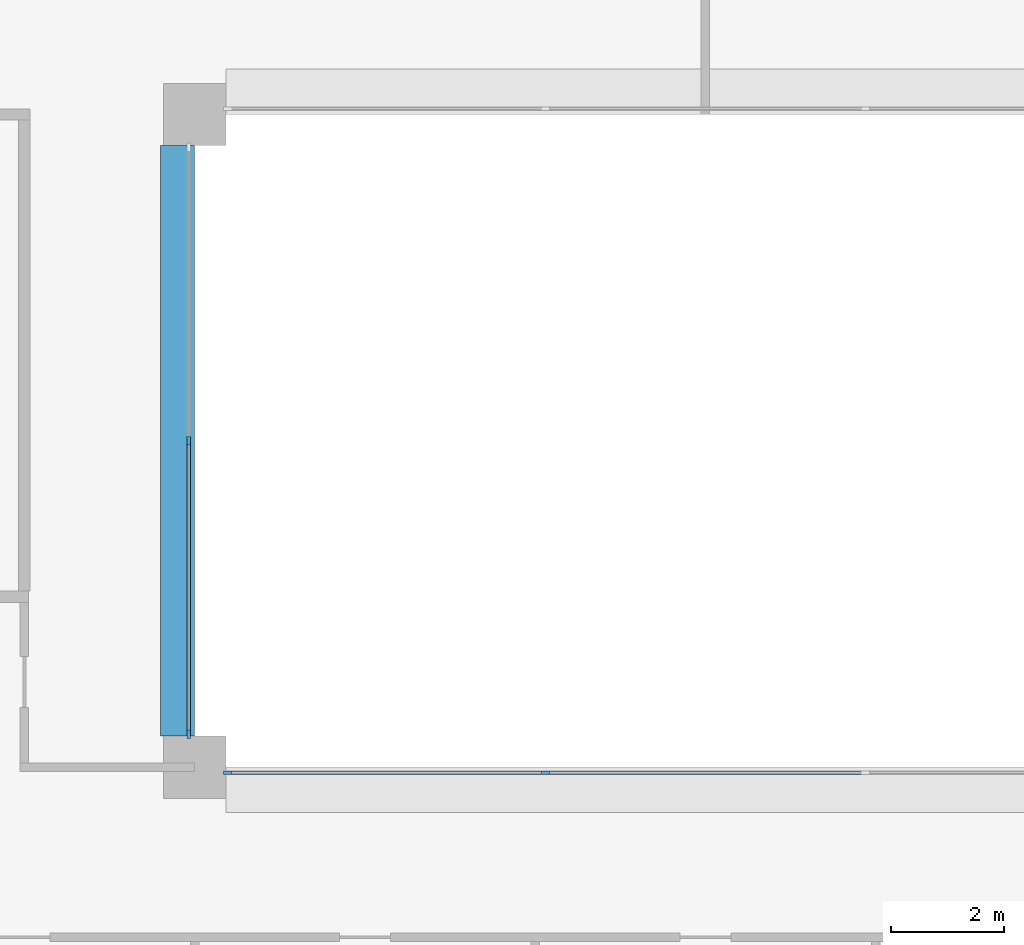
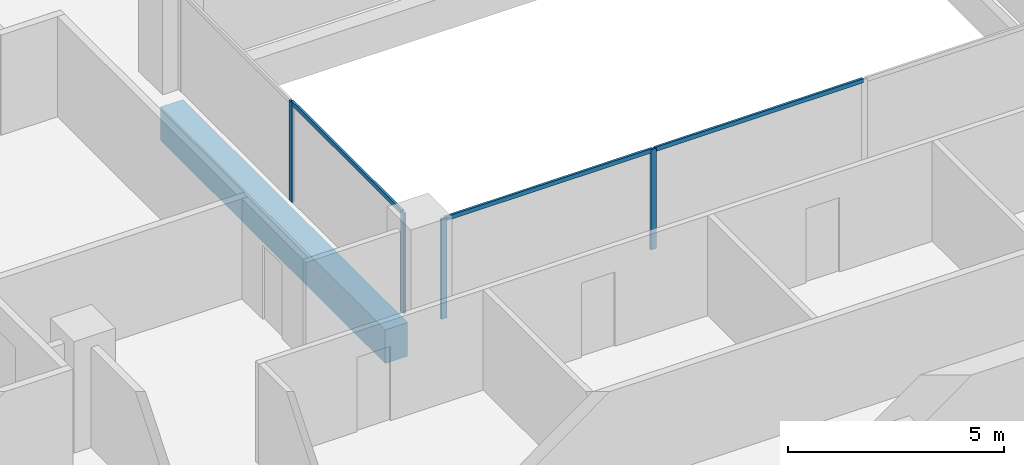
# One storey, part 2 of 16: 7 members, 1 beam, 2 elements without a shape of their own.
"""IFC4 building model written with IfcOpenShell, lengths in metres."""

import ifcopenshell
import ifcopenshell.guid

model = None  # the IFC model being written
_history = None  # IfcOwnerHistory: only IFC2X3 demands one
_inside = {}  # id of a spatial element -> (the spatial element, [elements in it])
_under = {}  # id of a project, library or spatial element -> (it, [spatial elements below it])
_declared = {}  # id of a project -> (the project, [libraries it declares])
_typed = {}  # id of a type object -> (the type object, [elements of that type])
_made_of = {}  # id of a material, layer set ... -> (it, [elements and type objects made of it])


def new_model(schema):
    """Start an empty IFC model of exactly this schema.

    Asked for "IFC4X3", IfcOpenShell would pick the latest addendum, in which some entities
    have other attributes; the version numbers below select the first issue.
    IFC2X3 requires an IfcOwnerHistory on every rooted entity: one is made here for all.
    """
    global model, _history
    if schema == "IFC4X3":
        model = ifcopenshell.file(schema_version=(4, 3, 0, 0))
    else:
        model = ifcopenshell.file(schema=schema)
    _inside.clear()
    _under.clear()
    _declared.clear()
    _typed.clear()
    _made_of.clear()
    _history = None
    if model.schema == "IFC2X3":
        org = make("IfcOrganization", Name="unknown")
        user = make(
            "IfcPersonAndOrganization",
            ThePerson=make("IfcPerson", FamilyName="unknown"),
            TheOrganization=org,
        )
        app = make(
            "IfcApplication",
            ApplicationDeveloper=org,
            Version="unknown",
            ApplicationFullName="unknown",
            ApplicationIdentifier="unknown",
        )
        _history = make(
            "IfcOwnerHistory",
            OwningUser=user,
            OwningApplication=app,
            ChangeAction="ADDED",
            CreationDate=0,
        )
    return model


def make(cls, **values):
    """One entity of the class cls with the attributes given. An attribute that is None is left unset."""
    return model.create_entity(
        cls, **{name: value for name, value in values.items() if value is not None}
    )


def rooted(cls, **values):
    """An entity with a GlobalId (a new one), such as an element, a storey or a relation."""
    return make(cls, GlobalId=ifcopenshell.guid.new(), OwnerHistory=_history, **values)


def si_unit(unit_type, name, prefix=None):
    """IfcSIUnit, for example si_unit("LENGTHUNIT", "METRE", prefix="MILLI")."""
    return make("IfcSIUnit", UnitType=unit_type, Prefix=prefix, Name=name)


def assignment(units):
    """IfcUnitAssignment: the units of a project."""
    return None if units is None else make("IfcUnitAssignment", Units=units)


def point(xyz):
    """IfcCartesianPoint."""
    return None if xyz is None else make("IfcCartesianPoint", Coordinates=xyz)


def direction(xyz):
    """IfcDirection."""
    return None if xyz is None else make("IfcDirection", DirectionRatios=xyz)


def frame(location, z_axis=None, x_axis=None):
    """IfcAxis2Placement3D, a coordinate frame: its origin and axes. An axis left out is left unset."""
    return make(
        "IfcAxis2Placement3D",
        Location=point(location),
        Axis=direction(z_axis),
        RefDirection=direction(x_axis),
    )


def frame_2d(location, x_axis=None):
    """IfcAxis2Placement2D, a coordinate frame in the plane: its origin and x axis."""
    return make(
        "IfcAxis2Placement2D", Location=point(location), RefDirection=direction(x_axis)
    )


def origin():
    """The frame at (0, 0, 0) with its axes left unset."""
    return frame((0.0, 0.0, 0.0))


def origin_2d():
    """The frame at (0, 0) in the plane with its x axis left unset."""
    return frame_2d((0.0, 0.0))


def place(relative_to, where):
    """IfcLocalPlacement: puts the frame where relative to a parent placement (None: the world)."""
    return make(
        "IfcLocalPlacement", PlacementRelTo=relative_to, RelativePlacement=where
    )


def context(
    kind, dimensions, precision=None, world=None, true_north=None, identifier=None
):
    """IfcGeometricRepresentationContext, for example the 3D "Model" context."""
    return make(
        "IfcGeometricRepresentationContext",
        ContextIdentifier=identifier,
        ContextType=kind,
        CoordinateSpaceDimension=dimensions,
        Precision=precision,
        WorldCoordinateSystem=world,
        TrueNorth=true_north,
    )


def subcontext(parent, identifier, kind, view, scale=None):
    """IfcGeometricRepresentationSubContext, for example "Body" below "Model"."""
    return make(
        "IfcGeometricRepresentationSubContext",
        ContextIdentifier=identifier,
        ContextType=kind,
        ParentContext=parent,
        TargetScale=scale,
        TargetView=view,
    )


def project(units=None, contexts=None):
    """IfcProject with its units and contexts."""
    return rooted(
        "IfcProject",
        Name="project",
        RepresentationContexts=contexts,
        UnitsInContext=assignment(units),
    )


def spatial(cls, under=None, at=None, **own):
    """A site, building, storey or space (cls), placed at a placement, below another one or the project."""
    s = rooted(cls, ObjectPlacement=at, **own)
    if under is not None:
        _under.setdefault(under.id(), (under, []))[1].append(s)
    return s


def profile(cls, at=None, kind="AREA", **sizes):
    """A parametric profile (cls). Its sizes go by their IFC names, for example OverallWidth=200.0."""
    return make(cls, ProfileType=kind, Position=at, **sizes)


def rectangle(**sizes):
    """IfcRectangleProfileDef."""
    return profile("IfcRectangleProfileDef", **sizes)


def extrude(swept, where, along, depth):
    """IfcExtrudedAreaSolid: the profile swept, set in the frame where, extruded along a direction by depth."""
    return make(
        "IfcExtrudedAreaSolid",
        SweptArea=swept,
        Position=where,
        ExtrudedDirection=direction(along),
        Depth=depth,
    )


def shape(context_of_items, identifier, shape_type, items):
    """IfcShapeRepresentation: the items that make up one representation, for example the "Body"."""
    return make(
        "IfcShapeRepresentation",
        ContextOfItems=context_of_items,
        RepresentationIdentifier=identifier,
        RepresentationType=shape_type,
        Items=items,
    )


def material(Name=None, Category=None):
    """IfcMaterial."""
    return make("IfcMaterial", Name=Name, Category=Category)


def layer(
    of_material, thickness, ventilated=None, Name=None, Category=None, Priority=None
):
    """IfcMaterialLayer: one layer of a wall or slab, of a material (None: an air gap)."""
    return make(
        "IfcMaterialLayer",
        Material=of_material,
        LayerThickness=thickness,
        IsVentilated=ventilated,
        Name=Name,
        Category=Category,
        Priority=Priority,
    )


def layer_set(layers, Name=None):
    """IfcMaterialLayerSet."""
    return make("IfcMaterialLayerSet", MaterialLayers=layers, LayerSetName=Name)


def material_profile(
    of_material, cross_section, Name=None, Category=None, Priority=None
):
    """IfcMaterialProfile: a cross section and its material."""
    return make(
        "IfcMaterialProfile",
        Name=Name,
        Material=of_material,
        Profile=cross_section,
        Priority=Priority,
        Category=Category,
    )


def profile_set(profiles, Name=None, composite=None):
    """IfcMaterialProfileSet."""
    return make(
        "IfcMaterialProfileSet",
        Name=Name,
        MaterialProfiles=profiles,
        CompositeProfile=composite,
    )


def made_of(thing, what):
    """Note that an element or type object is made of a material, layer set ...; save() writes the relation."""
    if what is not None:
        _made_of.setdefault(what.id(), (what, []))[1].append(thing)
    return thing


def type_object(cls, material=None, **own):
    """A type object (cls), such as IfcWallType, which elements share."""
    return made_of(rooted(cls, **own), material)


def element(
    cls,
    number,
    at=None,
    inside=None,
    cuts=None,
    type_object=None,
    material=None,
    context=None,
    identifier="Body",
    shape_type=None,
    held_by="IfcProductDefinitionShape",
    body=None,
    shapes=None,
    **own,
):
    """One element of the class cls, such as IfcWall. Its Tag is "e" and its number.

    at: its placement. inside: the storey or other place that contains it. cuts: it is an
    opening in that element (IfcRelVoidsElement). A single representation is given by context,
    identifier, shape_type and body (its items); several are given by shapes. held_by: the class
    of the entity that holds the representations. save() writes the other relations.
    """
    e = rooted(cls, Tag="e%d" % number, ObjectPlacement=at, **own)
    if body is not None:
        shapes = [shape(context, identifier, shape_type, body)]
    if shapes is not None:
        e.Representation = make(held_by, Representations=shapes)
    if inside is not None:
        _inside.setdefault(inside.id(), (inside, []))[1].append(e)
    if cuts is not None:
        rooted(
            "IfcRelVoidsElement", RelatingBuildingElement=cuts, RelatedOpeningElement=e
        )
    if type_object is not None:
        _typed.setdefault(type_object.id(), (type_object, []))[1].append(e)
    return made_of(e, material)


def aggregate(whole, parts):
    """IfcRelAggregates: a whole, such as a stair, and the parts it consists of."""
    return rooted("IfcRelAggregates", RelatingObject=whole, RelatedObjects=parts)


def save(model, path):
    """Write the relations noted so far, then the file.

    IfcRelAggregates (storeys below a building ...), IfcRelContainedInSpatialStructure (elements
    in a storey), IfcRelDefinesByType, IfcRelAssociatesMaterial and IfcRelDeclares: one each for
    every whole, place, type object, material and project.
    """
    for whole, parts in _under.values():
        aggregate(whole, parts)
    for where, things in _inside.values():
        rooted(
            "IfcRelContainedInSpatialStructure",
            RelatedElements=things,
            RelatingStructure=where,
        )
    for kind, things in _typed.values():
        rooted("IfcRelDefinesByType", RelatedObjects=things, RelatingType=kind)
    for what, things in _made_of.values():
        rooted("IfcRelAssociatesMaterial", RelatedObjects=things, RelatingMaterial=what)
    for by, libraries in _declared.values():
        rooted("IfcRelDeclares", RelatingContext=by, RelatedDefinitions=libraries)
    model.write(path)


model = new_model("IFC4")

# Units and contexts
model_context = context("Model", 3, precision=1e-05, world=origin(), true_north=direction((0.0, 1.0)))
body_context = subcontext(model_context, "Body", "Model", "MODEL_VIEW")
ifc_project = project(units=[si_unit("LENGTHUNIT", "METRE"), si_unit("AREAUNIT", "SQUARE_METRE"), si_unit("VOLUMEUNIT", "CUBIC_METRE"), si_unit("PLANEANGLEUNIT", "RADIAN"), si_unit("MASSUNIT", "GRAM", prefix="KILO")], contexts=[model_context])

# Site, building, storey
site_placement = place(None, origin())
site = spatial("IfcSite", under=ifc_project, at=site_placement, CompositionType="ELEMENT")
building_placement = place(site_placement, origin())
building = spatial("IfcBuilding", under=site, at=building_placement, Name="Brigalow Station Residences", CompositionType="ELEMENT")
storey_placement = place(building_placement, frame((0.0, 0.0, 160.199951171875)))
storey = spatial("IfcBuildingStorey", under=building, at=storey_placement, Name="L46", CompositionType="ELEMENT", Elevation=160.199951171875)

# Beam
ifc_material_1 = material(Name="Concrete C65", Category="concrete")
ifc_material_profile_1 = material_profile(ifc_material_1, rectangle(XDim=0.60009765625, YDim=0.949951171875, at=origin_2d()), Name="RC600x950")
ifc_profile_set_1 = profile_set([ifc_material_profile_1], Name="Concrete C65")
beam_type = type_object("IfcBeamType", Name="ATRIUM EDGE GIRDER 600x950 C65", PredefinedType="BEAM", material=ifc_profile_set_1)
beam_placement = place(storey_placement, frame((26.699951171875, 24.550048828125, -0.794921875), z_axis=(0.0, 1.0, 0.0), x_axis=(-1.0, 0.0, 0.0)))
element("IfcBeam", 1, at=beam_placement, inside=storey, type_object=beam_type, Name="ATRIUM EDGE GIRDER 3 L46", PredefinedType="BEAM", context=body_context, shape_type="SweptSolid", body=[
    extrude(rectangle(XDim=0.60009765625, YDim=0.949951171875, at=origin_2d()), origin(), (0.0, 0.0, 1.0), 10.39990234375),
])

# Curtain wall, members
ifc_material_2 = material(Name="Aluminium", Category="aluminium")
ifc_layer = layer(ifc_material_2, 0.14990234375)
ifc_layer_set = layer_set([ifc_layer], Name="ATRIUM FIRE-RATED GLAZING CURTAIN WALL")
curtain_wall_type = type_object("IfcCurtainWallType", Name="ATRIUM FIRE-RATED GLAZING CURTAIN WALL", PredefinedType="NOTDEFINED", material=ifc_layer_set)
curtain_wall_1_placement = place(storey_placement, origin())
curtain_wall_1 = element("IfcCurtainWall", 2, at=curtain_wall_1_placement, inside=storey, type_object=curtain_wall_type, Name="L46/cw/atrium-S", PredefinedType="NOTDEFINED")
ifc_material_3 = material(Name="Aluminium", Category="aluminium")
ifc_material_profile_2 = material_profile(ifc_material_3, rectangle(XDim=0.06005859375, YDim=0.14990234375, at=origin_2d()), Name="ATRIUM FIRE-RATED GLAZING MULLION 60x150")
ifc_profile_set_2 = profile_set([ifc_material_profile_2], Name="Aluminium")
member_type_1 = type_object("IfcMemberType", Name="ATRIUM FIRE-RATED GLAZING MULLION 60x150", PredefinedType="MULLION", material=ifc_profile_set_2)
member_1_placement = place(storey_placement, frame((27.580078125, 23.89990234375, 0.0), z_axis=(0.0, 0.0, 1.0), x_axis=(0.0, 1.0, 0.0)))
member_1 = element("IfcMember", 3, at=member_1_placement, type_object=member_type_1, Name="L46/cw/atrium-S/M00", PredefinedType="MULLION", context=body_context, shape_type="SweptSolid", body=[
    extrude(rectangle(XDim=0.06005859375, YDim=0.14990234375, at=origin_2d()), origin(), (0.0, 0.0, 1.0), 2.830078125),
])
member_2_placement = place(storey_placement, frame((33.183349609375, 23.89990234375, 0.0), z_axis=(0.0, 0.0, 1.0), x_axis=(0.0, 1.0, 0.0)))
member_2 = element("IfcMember", 4, at=member_2_placement, type_object=member_type_1, Name="L46/cw/atrium-S/M01", PredefinedType="MULLION", context=body_context, shape_type="SweptSolid", body=[
    extrude(rectangle(XDim=0.06005859375, YDim=0.14990234375, at=origin_2d()), origin(), (0.0, 0.0, 1.0), 2.830078125),
])

curtain_wall_2_placement = place(storey_placement, origin())
curtain_wall_2 = element("IfcCurtainWall", 5, at=curtain_wall_2_placement, inside=storey, type_object=curtain_wall_type, Name="L46/cw/atrium-W", PredefinedType="NOTDEFINED")
member_3_placement = place(storey_placement, frame((26.89990234375, 29.75, 0.0), z_axis=(0.0, 0.0, 1.0), x_axis=(1.0, 0.0, 0.0)))
member_3 = element("IfcMember", 6, at=member_3_placement, type_object=member_type_1, Name="L46/cw/atrium-W/M01", PredefinedType="MULLION", context=body_context, shape_type="SweptSolid", body=[
    extrude(rectangle(XDim=0.06005859375, YDim=0.14990234375, at=origin_2d()), origin(), (0.0, 0.0, 1.0), 2.830078125),
])
member_4_placement = place(storey_placement, frame((26.89990234375, 24.580078125, 0.0), z_axis=(0.0, 0.0, 1.0), x_axis=(1.0, 0.0, 0.0)))
member_4 = element("IfcMember", 7, at=member_4_placement, type_object=member_type_1, Name="L46/cw/atrium-W/M02", PredefinedType="MULLION", context=body_context, shape_type="SweptSolid", body=[
    extrude(rectangle(XDim=0.06005859375, YDim=0.14990234375, at=origin_2d()), origin(), (0.0, 0.0, 1.0), 2.830078125),
])

# Member
ifc_material_4 = material(Name="Aluminium", Category="aluminium")
ifc_material_profile_3 = material_profile(ifc_material_4, rectangle(XDim=0.06005859375, YDim=0.1201171875, at=origin_2d()), Name="ATRIUM FIRE-RATED GLAZING TRANSOM 60x120")
ifc_profile_set_3 = profile_set([ifc_material_profile_3], Name="Aluminium")
member_type_2 = type_object("IfcMemberType", Name="ATRIUM FIRE-RATED GLAZING TRANSOM 60x120", PredefinedType="USERDEFINED", material=ifc_profile_set_3)
member_5_placement = place(storey_placement, frame((27.610107421875, 23.89990234375, 2.800048828125), z_axis=(1.0, 0.0, 0.0), x_axis=(0.0, 1.0, 0.0)))
member_5 = element("IfcMember", 8, at=member_5_placement, type_object=member_type_2, Name="L46/cw/atrium-S/T00-00", ObjectType="TRANSOM", PredefinedType="USERDEFINED", context=body_context, shape_type="SweptSolid", body=[
    extrude(rectangle(XDim=0.06005859375, YDim=0.1201171875, at=origin_2d()), origin(), (0.0, 0.0, 1.0), 5.543212890625),
])

member_6_placement = place(storey_placement, frame((33.21337890625, 23.89990234375, 2.800048828125), z_axis=(1.0, 0.0, 0.0), x_axis=(0.0, 1.0, 0.0)))
member_6 = element("IfcMember", 9, at=member_6_placement, type_object=member_type_2, Name="L46/cw/atrium-S/T01-00", ObjectType="TRANSOM", PredefinedType="USERDEFINED", context=body_context, shape_type="SweptSolid", body=[
    extrude(rectangle(XDim=0.06005859375, YDim=0.1201171875, at=origin_2d()), origin(), (0.0, 0.0, 1.0), 5.5732421875),
])

aggregate(curtain_wall_1, [member_1, member_2, member_5, member_6])

member_7_placement = place(storey_placement, frame((26.89990234375, 29.719970703125, 2.800048828125), z_axis=(0.0, -1.0, 0.0), x_axis=(1.0, 0.0, 0.0)))
member_7 = element("IfcMember", 10, at=member_7_placement, type_object=member_type_2, Name="L46/cw/atrium-W/T01-00", ObjectType="TRANSOM", PredefinedType="USERDEFINED", context=body_context, shape_type="SweptSolid", body=[
    extrude(rectangle(XDim=0.06005859375, YDim=0.1201171875, at=origin_2d()), origin(), (0.0, 0.0, 1.0), 5.10986328125),
])

aggregate(curtain_wall_2, [member_3, member_4, member_7])

save(model, "model.ifc")
